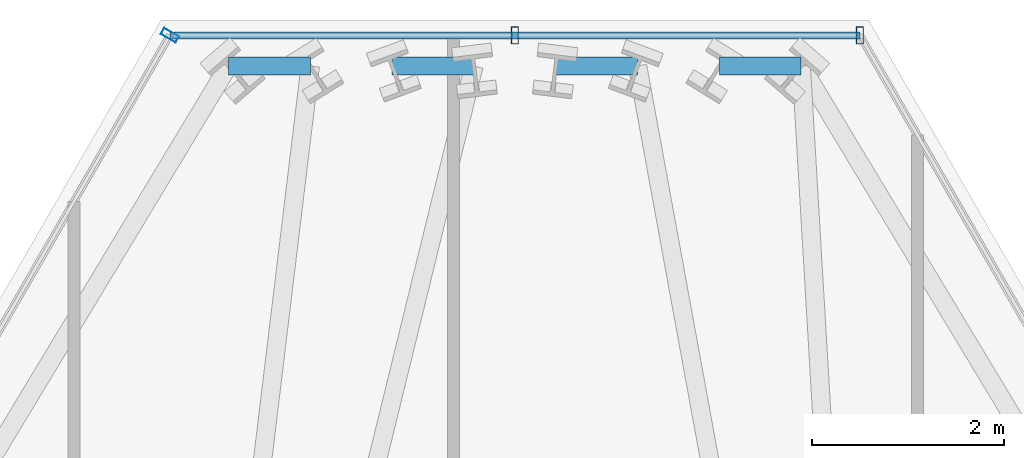
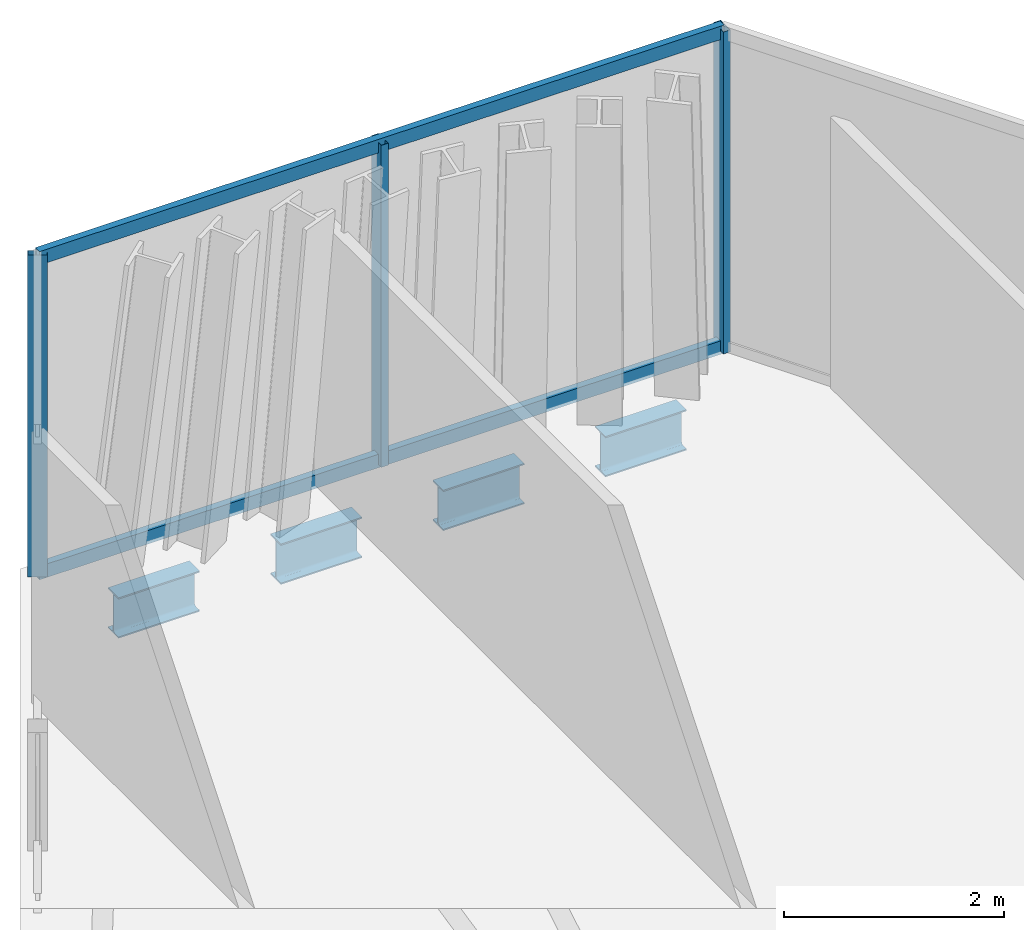
# One storey, part 22 of 29: 5 members, 4 beams, 2 elements without a shape of their own.
"""IFC4 building model written with IfcOpenShell, lengths in metres."""

from ifc_helpers import new_model, si_unit, direction, frame, origin, origin_2d, place, context, subcontext, project, spatial, hollow_rectangle, i_section, extrude, material, layer, layer_set, material_profile, profile_set, type_object, element, aggregate, save


model = new_model("IFC4")

# Units and contexts
model_context = context("Model", 3, precision=1e-05, world=origin(), true_north=direction((0.0, 1.0)))
body_context = subcontext(model_context, "Body", "Model", "MODEL_VIEW")
ifc_project = project(units=[si_unit("LENGTHUNIT", "METRE"), si_unit("AREAUNIT", "SQUARE_METRE"), si_unit("VOLUMEUNIT", "CUBIC_METRE"), si_unit("PLANEANGLEUNIT", "RADIAN"), si_unit("MASSUNIT", "GRAM", prefix="KILO")], contexts=[model_context])

# Site, building, storey
site_placement = place(None, origin())
site = spatial("IfcSite", under=ifc_project, at=site_placement, CompositionType="ELEMENT")
building_placement = place(site_placement, origin())
building = spatial("IfcBuilding", under=site, at=building_placement, Name="Ndaravel Arena Tower", CompositionType="ELEMENT")
storey_placement = place(building_placement, frame((0.0, 0.0, 237.0)))
storey = spatial("IfcBuildingStorey", under=building, at=storey_placement, Name="L57", CompositionType="ELEMENT", Elevation=237.0)

# Beams
ifc_material_1 = material(Name="Steel S355", Category="steel")
ifc_material_profile_1 = material_profile(ifc_material_1, i_section(OverallWidth=0.18994140625, OverallDepth=0.449951171875, WebThickness=0.009521484375, FlangeThickness=0.0146484375, FilletRadius=0.02099609375, at=origin_2d()), Name="IPE 450")
ifc_profile_set_1 = profile_set([ifc_material_profile_1], Name="Steel S355")
beam_type = type_object("IfcBeamType", Name="BM-SPAN-IPE450", PredefinedType="SPANDREL", material=ifc_profile_set_1)
for number, where, z_axis, x_axis, name in (
    (1, (44.988037109375, 44.968994140625, -0.445068359375), (-1.0, 0.0, 0.0), (0.0, -1.0, 0.0), "L57 Perimeter Spandrel Beam SP-11"),
    (2, (43.280517578125, 44.968994140625, -0.445068359375), (-1.0, 0.0, 0.0), (0.0, -1.0, 0.0), "L57 Perimeter Spandrel Beam SP-13"),
    (3, (41.572998046875, 44.968994140625, -0.445068359375), (-1.0, 0.0, 0.0), (0.0, -1.0, 0.0), "L57 Perimeter Spandrel Beam SP-15"),
    (4, (39.865478515625, 44.968994140625, -0.445068359375), (-1.0, 0.0, 0.0), (0.0, -1.0, 0.0), "L57 Perimeter Spandrel Beam SP-17"),
):
    element("IfcBeam", number, at=place(storey_placement, frame(where, z_axis=z_axis, x_axis=x_axis)), inside=storey, type_object=beam_type, Name=name, PredefinedType="SPANDREL", context=body_context, shape_type="SweptSolid", body=[
        extrude(i_section(OverallWidth=0.18994140625, OverallDepth=0.449951171875, WebThickness=0.009521484375, FlangeThickness=0.0146484375, FilletRadius=0.02099609375, at=origin_2d()), origin(), (0.0, 0.0, 1.0), 0.853515625),
    ])

# Curtain wall, members
ifc_material_2 = material(Name="Aluminium", Category="aluminium")
ifc_layer_1 = layer(ifc_material_2, 0.179931640625)
ifc_layer_set_1 = layer_set([ifc_layer_1], Name="Aluminium")
curtain_wall_type_1 = type_object("IfcCurtainWallType", Name="CW-SYS-01", PredefinedType="NOTDEFINED", material=ifc_layer_set_1)
curtain_wall_1_placement = place(storey_placement, origin())
curtain_wall_1 = element("IfcCurtainWall", 5, at=curtain_wall_1_placement, inside=storey, type_object=curtain_wall_type_1, Name="L57 Faceted Crystal Curtain Wall CW-L57-E04", PredefinedType="NOTDEFINED")
ifc_material_3 = material(Name="Aluminium", Category="aluminium")
ifc_material_profile_2 = material_profile(ifc_material_3, hollow_rectangle(XDim=0.074951171875, YDim=0.179931640625, WallThickness=0.00390625, at=origin_2d()), Name="CW MULLION 75x180x4")
ifc_profile_set_2 = profile_set([ifc_material_profile_2], Name="Aluminium")
member_type_1 = type_object("IfcMemberType", Name="MEM-CW-MUL180", PredefinedType="MULLION", material=ifc_profile_set_2)
member_1_placement = place(storey_placement, frame((45.599609375, 45.288818359375, 0.0), z_axis=(0.0, 0.0, 1.0), x_axis=(-1.0, 0.0, 0.0)))
member_1 = element("IfcMember", 6, at=member_1_placement, type_object=member_type_1, Name="CW-L57-E04 Mullion 00", PredefinedType="MULLION", context=body_context, shape_type="SweptSolid", body=[
    extrude(hollow_rectangle(XDim=0.074951171875, YDim=0.179931640625, WallThickness=0.00390625, at=origin_2d()), origin(), (0.0, 0.0, 1.0), 3.580078125),
])
member_2_placement = place(storey_placement, frame((42.0, 45.288818359375, 0.0), z_axis=(0.0, 0.0, 1.0), x_axis=(-1.0, 0.0, 0.0)))
member_2 = element("IfcMember", 7, at=member_2_placement, type_object=member_type_1, Name="CW-L57-E04 Mullion 01", PredefinedType="MULLION", context=body_context, shape_type="SweptSolid", body=[
    extrude(hollow_rectangle(XDim=0.074951171875, YDim=0.179931640625, WallThickness=0.00390625, at=origin_2d()), origin(), (0.0, 0.0, 1.0), 3.580078125),
])

# Curtain wall, member
ifc_material_4 = material(Name="Aluminium", Category="aluminium")
ifc_layer_2 = layer(ifc_material_4, 0.179931640625)
ifc_layer_set_2 = layer_set([ifc_layer_2], Name="Aluminium")
curtain_wall_type_2 = type_object("IfcCurtainWallType", Name="CW-SYS-03", PredefinedType="NOTDEFINED", material=ifc_layer_set_2)
curtain_wall_2_placement = place(storey_placement, origin())
curtain_wall_2 = element("IfcCurtainWall", 8, at=curtain_wall_2_placement, inside=storey, type_object=curtain_wall_type_2, Name="L57 Faceted Crystal Curtain Wall CW-L57-E05", PredefinedType="NOTDEFINED")
member_3_placement = place(storey_placement, frame((38.400390625, 45.288818359375, 0.0), z_axis=(0.0, 0.0, 1.0), x_axis=(-0.5, -0.866025403784, 0.0)))
member_3 = element("IfcMember", 9, at=member_3_placement, type_object=member_type_1, Name="CW-L57-E05 Mullion 00", PredefinedType="MULLION", context=body_context, shape_type="SweptSolid", body=[
    extrude(hollow_rectangle(XDim=0.074951171875, YDim=0.179931640625, WallThickness=0.00390625, at=origin_2d()), origin(), (0.0, 0.0, 1.0), 3.580078125),
])
aggregate(curtain_wall_2, [member_3])

# Member
ifc_material_5 = material(Name="Aluminium", Category="aluminium")
ifc_material_profile_3 = material_profile(ifc_material_5, hollow_rectangle(XDim=0.074951171875, YDim=0.14990234375, WallThickness=0.00390625, at=origin_2d()), Name="CW TRANSOM 75x150x4")
ifc_profile_set_3 = profile_set([ifc_material_profile_3], Name="Aluminium")
member_type_2 = type_object("IfcMemberType", Name="MEM-CW-TRN150", PredefinedType="USERDEFINED", material=ifc_profile_set_3)
member_4_placement = place(storey_placement, frame((45.599609375, 45.288818359375, 0.0400390625), z_axis=(-1.0, 0.0, 0.0), x_axis=(0.0, -1.0, 0.0)))
member_4 = element("IfcMember", 10, at=member_4_placement, type_object=member_type_2, Name="CW-L57-E04 Transom 01", ObjectType="TRANSOM", PredefinedType="USERDEFINED", context=body_context, shape_type="SweptSolid", body=[
    extrude(hollow_rectangle(XDim=0.074951171875, YDim=0.14990234375, WallThickness=0.00390625, at=origin_2d()), origin(), (0.0, 0.0, 1.0), 7.19921875),
])

member_5_placement = place(storey_placement, frame((45.599609375, 45.288818359375, 3.5400390625), z_axis=(-1.0, 0.0, 0.0), x_axis=(0.0, -1.0, 0.0)))
member_5 = element("IfcMember", 11, at=member_5_placement, type_object=member_type_2, Name="CW-L57-E04 Transom 02", ObjectType="TRANSOM", PredefinedType="USERDEFINED", context=body_context, shape_type="SweptSolid", body=[
    extrude(hollow_rectangle(XDim=0.074951171875, YDim=0.14990234375, WallThickness=0.00390625, at=origin_2d()), origin(), (0.0, 0.0, 1.0), 7.19921875),
])

aggregate(curtain_wall_1, [member_1, member_2, member_4, member_5])

save(model, "model.ifc")
